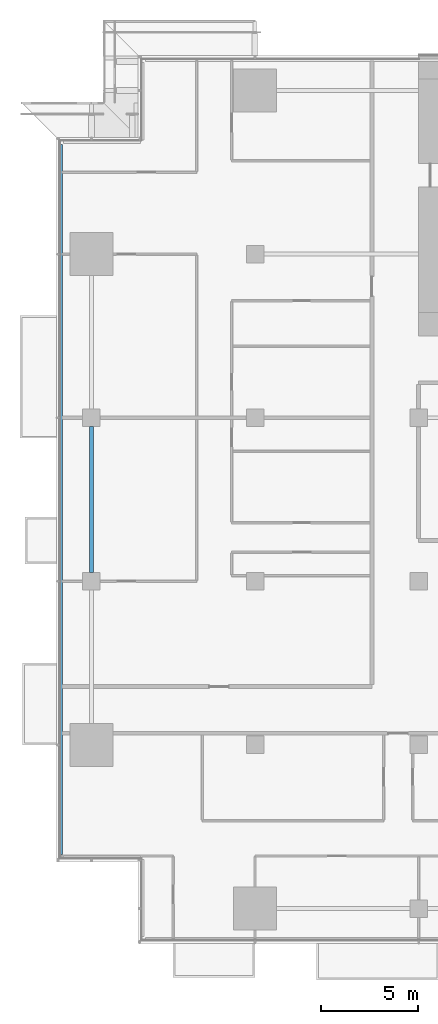
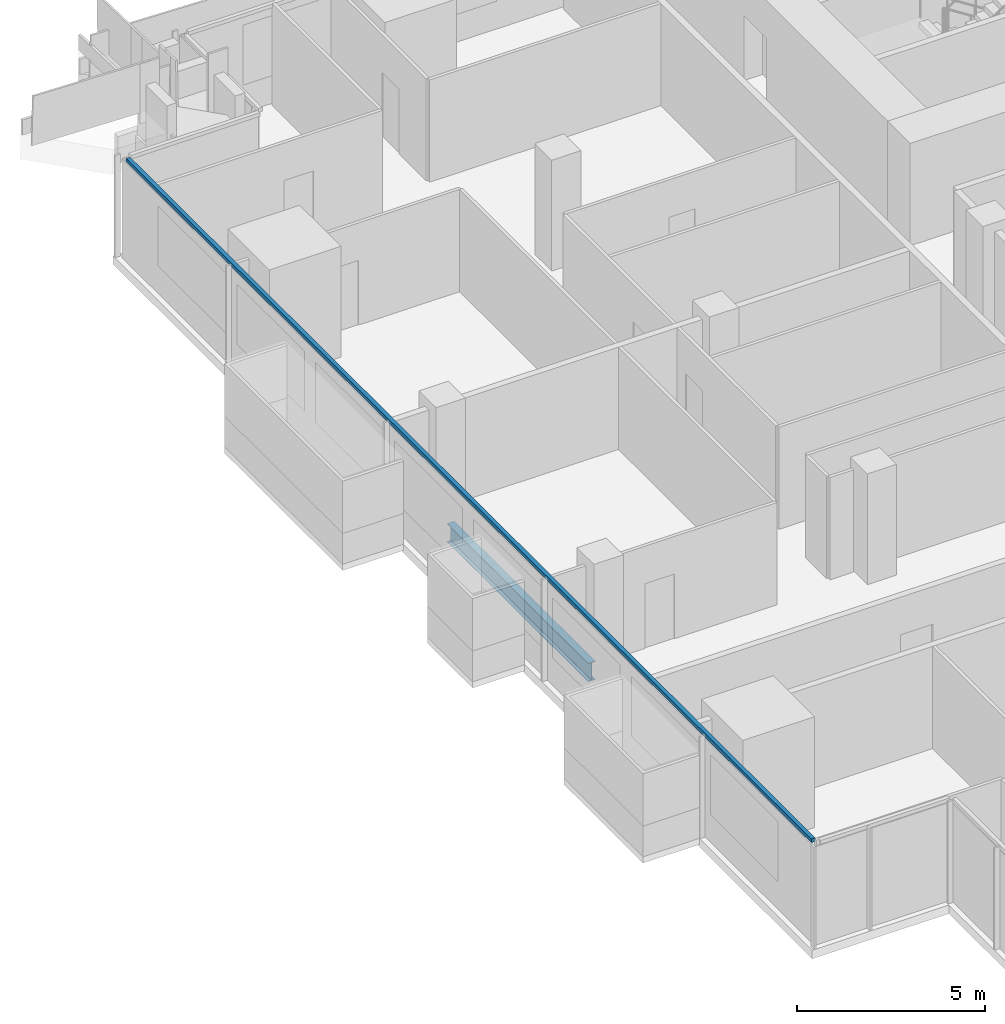
# One storey, part 3 of 29: 1 beam, 1 member, 1 element without a shape of its own.
"""IFC4 building model written with IfcOpenShell, lengths in metres."""

from ifc_helpers import new_model, si_unit, direction, frame, origin, origin_2d, place, context, subcontext, project, spatial, rectangle, i_section, extrude, material, material_profile, profile_set, type_object, element, aggregate, save


model = new_model("IFC4")

# Units and contexts
model_context = context("Model", 3, precision=1e-05, world=origin(), true_north=direction((0.0, 1.0)))
body_context = subcontext(model_context, "Body", "Model", "MODEL_VIEW")
ifc_project = project(units=[si_unit("LENGTHUNIT", "METRE"), si_unit("AREAUNIT", "SQUARE_METRE"), si_unit("VOLUMEUNIT", "CUBIC_METRE"), si_unit("PLANEANGLEUNIT", "RADIAN"), si_unit("MASSUNIT", "GRAM", prefix="KILO")], contexts=[model_context])

# Site, building, storey
site_placement = place(None, origin())
site = spatial("IfcSite", under=ifc_project, at=site_placement, CompositionType="ELEMENT")
building_placement = place(site_placement, origin())
building = spatial("IfcBuilding", under=site, at=building_placement, Name="Saffron Gate Tower", CompositionType="ELEMENT")
storey_placement = place(building_placement, frame((0.0, 0.0, 48.0)))
storey = spatial("IfcBuildingStorey", under=building, at=storey_placement, Name="L10", CompositionType="ELEMENT", Elevation=48.0)

# Beam
ifc_material_1 = material(Name="Structural steel S355", Category="steel")
ifc_material_profile_1 = material_profile(ifc_material_1, i_section(OverallWidth=0.219970703125, OverallDepth=0.60009765625, WebThickness=0.011962890625, FlangeThickness=0.01904296875, FilletRadius=0.02392578125, at=origin_2d()))
ifc_profile_set_1 = profile_set([ifc_material_profile_1], Name="Structural steel S355")
beam_type = type_object("IfcBeamType", Name="B16 IPE 600", PredefinedType="SPANDREL", material=ifc_profile_set_1)
beam_placement = place(storey_placement, frame((49.800048828125, 49.050048828125, -0.580078125), z_axis=(0.0, 1.0, 0.0), x_axis=(-1.0, 0.0, 0.0)))
element("IfcBeam", 1, at=beam_placement, inside=storey, type_object=beam_type, Name="B16 SPANDREL BEAM", PredefinedType="SPANDREL", context=body_context, shape_type="SweptSolid", body=[
    extrude(i_section(OverallWidth=0.219970703125, OverallDepth=0.60009765625, WebThickness=0.011962890625, FlangeThickness=0.01904296875, FilletRadius=0.02392578125, at=origin_2d()), origin(), (0.0, 0.0, 1.0), 7.5),
])

# Curtain wall, member
ifc_material_2 = material(Name="Aluminium, bronze anodised", Category="aluminium")
curtain_wall_type = type_object("IfcCurtainWallType", Name="CWS2 curtain wall side facades", PredefinedType="NOTDEFINED", material=ifc_material_2)
curtain_wall_placement = place(storey_placement, origin())
curtain_wall = element("IfcCurtainWall", 2, at=curtain_wall_placement, inside=storey, type_object=curtain_wall_type, Name="CWS2 run 10", PredefinedType="NOTDEFINED")
ifc_material_profile_2 = material_profile(ifc_material_2, rectangle(XDim=0.1201171875, YDim=0.1201171875, at=origin_2d()))
ifc_profile_set_2 = profile_set([ifc_material_profile_2], Name="Aluminium, bronze anodised")
member_type = type_object("IfcMemberType", Name="CWS2 head transom", PredefinedType="USERDEFINED", material=ifc_profile_set_2)
member_placement = place(storey_placement, frame((48.248046875, 71.031982421875, 3.260009765625), z_axis=(0.0, -1.0, 0.0), x_axis=(1.0, 0.0, 0.0)))
member = element("IfcMember", 3, at=member_placement, type_object=member_type, Name="CWS2 head transom", ObjectType="TRANSOM", PredefinedType="USERDEFINED", context=body_context, shape_type="SweptSolid", body=[
    extrude(rectangle(XDim=0.1201171875, YDim=0.1201171875, at=origin_2d()), origin(), (0.0, 0.0, 1.0), 36.4638671875),
])
aggregate(curtain_wall, [member])

save(model, "model.ifc")
